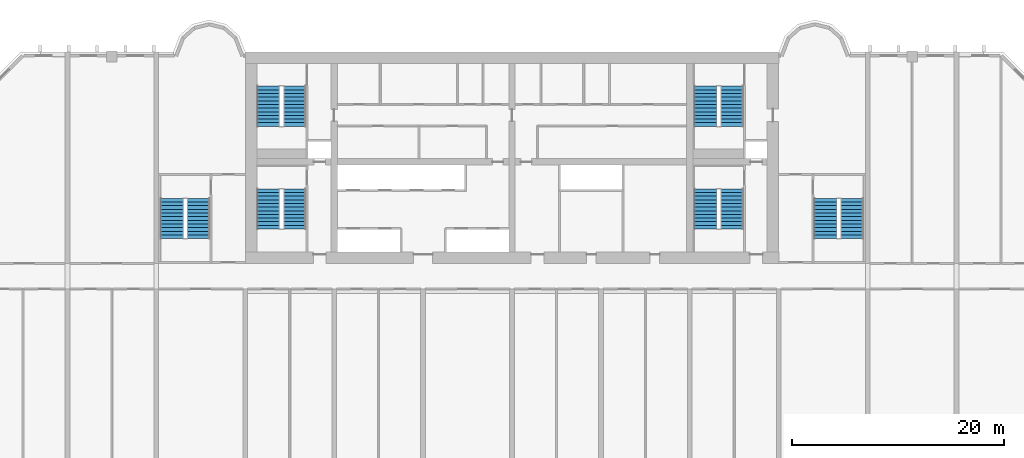
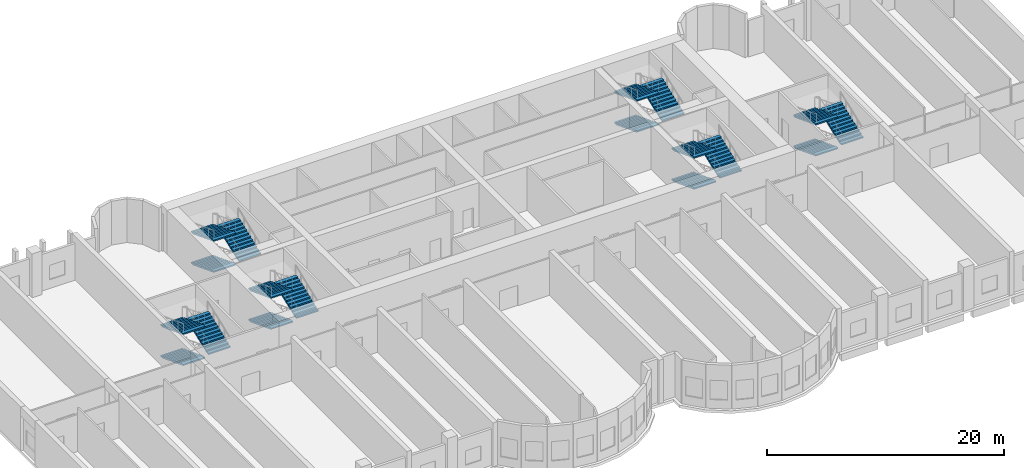
# One storey, part 9 of 10: 18 stair flights, 6 elements without a shape of their own.
"""IFC4 building model written with IfcOpenShell, lengths in metres."""

from ifc_helpers import new_model, si_unit, direction, frame, origin, place, context, subcontext, project, spatial, polyline, outline, extrude, source, transform, mapped, material, type_object, element, aggregate, save


model = new_model("IFC4")

# Units and contexts
model_context = context("Model", 3, precision=1e-05, world=origin(), true_north=direction((0.0, 1.0)))
body_context = subcontext(model_context, "Body", "Model", "MODEL_VIEW")
ifc_project = project(units=[si_unit("LENGTHUNIT", "METRE"), si_unit("AREAUNIT", "SQUARE_METRE"), si_unit("VOLUMEUNIT", "CUBIC_METRE"), si_unit("PLANEANGLEUNIT", "RADIAN"), si_unit("MASSUNIT", "GRAM", prefix="KILO")], contexts=[model_context])

# Site, building, storey
site_placement = place(None, origin())
site = spatial("IfcSite", under=ifc_project, at=site_placement, CompositionType="ELEMENT")
building_placement = place(site_placement, origin())
building = spatial("IfcBuilding", under=site, at=building_placement, Name="Vanashikhar Sky Hotel", CompositionType="ELEMENT")
storey_placement = place(building_placement, frame((0.0, 0.0, 23.0)))
storey = spatial("IfcBuildingStorey", under=building, at=storey_placement, Name="L04", CompositionType="ELEMENT", Elevation=23.0)

# Stair, stair flights
ifc_material = material(Name="Concrete M40", Category="concrete")
stair_type = type_object("IfcStairType", Name="Exit stair 2150", PredefinedType="DOUBLE_RETURN_STAIR", material=ifc_material)
stair_1_placement = place(storey_placement, origin())
stair_1 = element("IfcStair", 1, at=stair_1_placement, inside=storey, type_object=stair_type, Name="L04 Exit stair 1", PredefinedType="DOUBLE_RETURN_STAIR")
stair_flight_type = type_object("IfcStairFlightType", Name="Stair flight 2150", PredefinedType="STRAIGHT", material=ifc_material)
shared_shape = source(origin(), body_context, "Body", "SweptSolid", [
    extrude(outline(polyline([(0.0, 0.0), (0.0, 0.13330078125), (0.345458984375, 0.13330078125), (0.345458984375, 0.2666015625), (0.69091796875, 0.2666015625), (0.69091796875, 0.39990234375), (1.036376953125, 0.39990234375), (1.036376953125, 0.533447265625), (1.3818359375, 0.533447265625), (1.3818359375, 0.666748046875), (1.727294921875, 0.666748046875), (1.727294921875, 0.800048828125), (2.07275390625, 0.800048828125), (2.07275390625, 0.933349609375), (2.418212890625, 0.933349609375), (2.418212890625, 1.066650390625), (2.763671875, 1.066650390625), (2.763671875, 1.199951171875), (3.109130859375, 1.199951171875), (3.109130859375, 1.333251953125), (3.45458984375, 1.333251953125), (3.45458984375, 1.466552734375), (3.800048828125, 1.466552734375), (3.800048828125, 1.60009765625), (3.800048828125, 1.337890625), (0.33349609375, 0.0), (0.0, 0.0)])), frame((0.0, 1.074951171875, 0.0), z_axis=(0.0, -1.0, 0.0), x_axis=(1.0, 0.0, 0.0)), (0.0, 0.0, 1.0), 2.14990234375),
])
stair_flight_1_placement = place(storey_placement, frame((27.375, 29.050048828125, 0.0), z_axis=(0.0, 0.0, 1.0), x_axis=(0.0, -1.0, 0.0)))
stair_flight_1 = element("IfcStairFlight", 2, at=stair_flight_1_placement, type_object=stair_flight_type, Name="ST-C1 flight 1", NumberOfRisers=12, NumberOfTreads=11, PredefinedType="STRAIGHT", RiserHeight=0.133333333, TreadLength=0.345454545, context=body_context, shape_type="MappedRepresentation", body=[
    mapped(shared_shape, transform((0.0, 0.0, 0.0), scale=1.0)),
])
stair_flight_2_placement = place(storey_placement, frame((29.875, 25.25, 1.60009765625), z_axis=(0.0, 0.0, 1.0), x_axis=(0.0, 1.0, 0.0)))
stair_flight_2 = element("IfcStairFlight", 3, at=stair_flight_2_placement, type_object=stair_flight_type, Name="ST-C1 flight 2", NumberOfRisers=12, NumberOfTreads=11, PredefinedType="STRAIGHT", RiserHeight=0.133333333, TreadLength=0.345454545, context=body_context, shape_type="MappedRepresentation", body=[
    mapped(shared_shape, transform((0.0, 0.0, 0.0), scale=1.0)),
])
stair_flight_3_placement = place(storey_placement, frame((27.375, 29.050048828125, 3.199951171875), z_axis=(0.0, 0.0, 1.0), x_axis=(0.0, -1.0, 0.0)))
stair_flight_3 = element("IfcStairFlight", 4, at=stair_flight_3_placement, type_object=stair_flight_type, Name="ST-C1 flight 3", NumberOfRisers=12, NumberOfTreads=11, PredefinedType="STRAIGHT", RiserHeight=0.133333333, TreadLength=0.345454545, context=body_context, shape_type="MappedRepresentation", body=[
    mapped(shared_shape, transform((0.0, 0.0, 0.0), scale=1.0)),
])
aggregate(stair_1, [stair_flight_1, stair_flight_2, stair_flight_3])

stair_2_placement = place(storey_placement, origin())
stair_2 = element("IfcStair", 5, at=stair_2_placement, inside=storey, type_object=stair_type, Name="L04 Exit stair 2", PredefinedType="DOUBLE_RETURN_STAIR")
stair_flight_4_placement = place(storey_placement, frame((68.675048828125, 29.050048828125, 0.0), z_axis=(0.0, 0.0, 1.0), x_axis=(0.0, -1.0, 0.0)))
stair_flight_4 = element("IfcStairFlight", 6, at=stair_flight_4_placement, type_object=stair_flight_type, Name="ST-C2 flight 1", NumberOfRisers=12, NumberOfTreads=11, PredefinedType="STRAIGHT", RiserHeight=0.133333333, TreadLength=0.345454545, context=body_context, shape_type="MappedRepresentation", body=[
    mapped(shared_shape, transform((0.0, 0.0, 0.0), scale=1.0)),
])
stair_flight_5_placement = place(storey_placement, frame((71.175048828125, 25.25, 1.60009765625), z_axis=(0.0, 0.0, 1.0), x_axis=(0.0, 1.0, 0.0)))
stair_flight_5 = element("IfcStairFlight", 7, at=stair_flight_5_placement, type_object=stair_flight_type, Name="ST-C2 flight 2", NumberOfRisers=12, NumberOfTreads=11, PredefinedType="STRAIGHT", RiserHeight=0.133333333, TreadLength=0.345454545, context=body_context, shape_type="MappedRepresentation", body=[
    mapped(shared_shape, transform((0.0, 0.0, 0.0), scale=1.0)),
])
stair_flight_6_placement = place(storey_placement, frame((68.675048828125, 29.050048828125, 3.199951171875), z_axis=(0.0, 0.0, 1.0), x_axis=(0.0, -1.0, 0.0)))
stair_flight_6 = element("IfcStairFlight", 8, at=stair_flight_6_placement, type_object=stair_flight_type, Name="ST-C2 flight 3", NumberOfRisers=12, NumberOfTreads=11, PredefinedType="STRAIGHT", RiserHeight=0.133333333, TreadLength=0.345454545, context=body_context, shape_type="MappedRepresentation", body=[
    mapped(shared_shape, transform((0.0, 0.0, 0.0), scale=1.0)),
])
aggregate(stair_2, [stair_flight_4, stair_flight_5, stair_flight_6])

stair_3_placement = place(storey_placement, origin())
stair_3 = element("IfcStair", 9, at=stair_3_placement, inside=storey, type_object=stair_type, Name="L04 Exit stair 3", PredefinedType="DOUBLE_RETURN_STAIR")
stair_flight_7_placement = place(storey_placement, frame((18.27490234375, 28.14990234375, 0.0), z_axis=(0.0, 0.0, 1.0), x_axis=(0.0, -1.0, 0.0)))
stair_flight_7 = element("IfcStairFlight", 10, at=stair_flight_7_placement, type_object=stair_flight_type, Name="ST-W flight 1", NumberOfRisers=12, NumberOfTreads=11, PredefinedType="STRAIGHT", RiserHeight=0.133333333, TreadLength=0.345454545, context=body_context, shape_type="MappedRepresentation", body=[
    mapped(shared_shape, transform((0.0, 0.0, 0.0), scale=1.0)),
])
stair_flight_8_placement = place(storey_placement, frame((20.77490234375, 24.35009765625, 1.60009765625), z_axis=(0.0, 0.0, 1.0), x_axis=(0.0, 1.0, 0.0)))
stair_flight_8 = element("IfcStairFlight", 11, at=stair_flight_8_placement, type_object=stair_flight_type, Name="ST-W flight 2", NumberOfRisers=12, NumberOfTreads=11, PredefinedType="STRAIGHT", RiserHeight=0.133333333, TreadLength=0.345454545, context=body_context, shape_type="MappedRepresentation", body=[
    mapped(shared_shape, transform((0.0, 0.0, 0.0), scale=1.0)),
])
stair_flight_9_placement = place(storey_placement, frame((18.27490234375, 28.14990234375, 3.199951171875), z_axis=(0.0, 0.0, 1.0), x_axis=(0.0, -1.0, 0.0)))
stair_flight_9 = element("IfcStairFlight", 12, at=stair_flight_9_placement, type_object=stair_flight_type, Name="ST-W flight 3", NumberOfRisers=12, NumberOfTreads=11, PredefinedType="STRAIGHT", RiserHeight=0.133333333, TreadLength=0.345454545, context=body_context, shape_type="MappedRepresentation", body=[
    mapped(shared_shape, transform((0.0, 0.0, 0.0), scale=1.0)),
])
aggregate(stair_3, [stair_flight_7, stair_flight_8, stair_flight_9])

stair_4_placement = place(storey_placement, origin())
stair_4 = element("IfcStair", 13, at=stair_4_placement, inside=storey, type_object=stair_type, Name="L04 Exit stair 4", PredefinedType="DOUBLE_RETURN_STAIR")
stair_flight_10_placement = place(storey_placement, frame((80.02490234375, 28.14990234375, 0.0), z_axis=(0.0, 0.0, 1.0), x_axis=(0.0, -1.0, 0.0)))
stair_flight_10 = element("IfcStairFlight", 14, at=stair_flight_10_placement, type_object=stair_flight_type, Name="ST-E flight 1", NumberOfRisers=12, NumberOfTreads=11, PredefinedType="STRAIGHT", RiserHeight=0.133333333, TreadLength=0.345454545, context=body_context, shape_type="MappedRepresentation", body=[
    mapped(shared_shape, transform((0.0, 0.0, 0.0), scale=1.0)),
])
stair_flight_11_placement = place(storey_placement, frame((82.52490234375, 24.35009765625, 1.60009765625), z_axis=(0.0, 0.0, 1.0), x_axis=(0.0, 1.0, 0.0)))
stair_flight_11 = element("IfcStairFlight", 15, at=stair_flight_11_placement, type_object=stair_flight_type, Name="ST-E flight 2", NumberOfRisers=12, NumberOfTreads=11, PredefinedType="STRAIGHT", RiserHeight=0.133333333, TreadLength=0.345454545, context=body_context, shape_type="MappedRepresentation", body=[
    mapped(shared_shape, transform((0.0, 0.0, 0.0), scale=1.0)),
])
stair_flight_12_placement = place(storey_placement, frame((80.02490234375, 28.14990234375, 3.199951171875), z_axis=(0.0, 0.0, 1.0), x_axis=(0.0, -1.0, 0.0)))
stair_flight_12 = element("IfcStairFlight", 16, at=stair_flight_12_placement, type_object=stair_flight_type, Name="ST-E flight 3", NumberOfRisers=12, NumberOfTreads=11, PredefinedType="STRAIGHT", RiserHeight=0.133333333, TreadLength=0.345454545, context=body_context, shape_type="MappedRepresentation", body=[
    mapped(shared_shape, transform((0.0, 0.0, 0.0), scale=1.0)),
])
aggregate(stair_4, [stair_flight_10, stair_flight_11, stair_flight_12])

stair_5_placement = place(storey_placement, origin())
stair_5 = element("IfcStair", 17, at=stair_5_placement, inside=storey, type_object=stair_type, Name="L04 Exit stair 5", PredefinedType="DOUBLE_RETURN_STAIR")
stair_flight_13_placement = place(storey_placement, frame((27.375, 38.75, 0.0), z_axis=(0.0, 0.0, 1.0), x_axis=(0.0, -1.0, 0.0)))
stair_flight_13 = element("IfcStairFlight", 18, at=stair_flight_13_placement, type_object=stair_flight_type, Name="ST-C3 flight 1", NumberOfRisers=12, NumberOfTreads=11, PredefinedType="STRAIGHT", RiserHeight=0.133333333, TreadLength=0.345454545, context=body_context, shape_type="MappedRepresentation", body=[
    mapped(shared_shape, transform((0.0, 0.0, 0.0), scale=1.0)),
])
stair_flight_14_placement = place(storey_placement, frame((29.875, 34.949951171875, 1.60009765625), z_axis=(0.0, 0.0, 1.0), x_axis=(0.0, 1.0, 0.0)))
stair_flight_14 = element("IfcStairFlight", 19, at=stair_flight_14_placement, type_object=stair_flight_type, Name="ST-C3 flight 2", NumberOfRisers=12, NumberOfTreads=11, PredefinedType="STRAIGHT", RiserHeight=0.133333333, TreadLength=0.345454545, context=body_context, shape_type="MappedRepresentation", body=[
    mapped(shared_shape, transform((0.0, 0.0, 0.0), scale=1.0)),
])
stair_flight_15_placement = place(storey_placement, frame((27.375, 38.75, 3.199951171875), z_axis=(0.0, 0.0, 1.0), x_axis=(0.0, -1.0, 0.0)))
stair_flight_15 = element("IfcStairFlight", 20, at=stair_flight_15_placement, type_object=stair_flight_type, Name="ST-C3 flight 3", NumberOfRisers=12, NumberOfTreads=11, PredefinedType="STRAIGHT", RiserHeight=0.133333333, TreadLength=0.345454545, context=body_context, shape_type="MappedRepresentation", body=[
    mapped(shared_shape, transform((0.0, 0.0, 0.0), scale=1.0)),
])
aggregate(stair_5, [stair_flight_13, stair_flight_14, stair_flight_15])

stair_6_placement = place(storey_placement, origin())
stair_6 = element("IfcStair", 21, at=stair_6_placement, inside=storey, type_object=stair_type, Name="L04 Exit stair 6", PredefinedType="DOUBLE_RETURN_STAIR")
stair_flight_16_placement = place(storey_placement, frame((68.675048828125, 38.75, 0.0), z_axis=(0.0, 0.0, 1.0), x_axis=(0.0, -1.0, 0.0)))
stair_flight_16 = element("IfcStairFlight", 22, at=stair_flight_16_placement, type_object=stair_flight_type, Name="ST-C4 flight 1", NumberOfRisers=12, NumberOfTreads=11, PredefinedType="STRAIGHT", RiserHeight=0.133333333, TreadLength=0.345454545, context=body_context, shape_type="MappedRepresentation", body=[
    mapped(shared_shape, transform((0.0, 0.0, 0.0), scale=1.0)),
])
stair_flight_17_placement = place(storey_placement, frame((71.175048828125, 34.949951171875, 1.60009765625), z_axis=(0.0, 0.0, 1.0), x_axis=(0.0, 1.0, 0.0)))
stair_flight_17 = element("IfcStairFlight", 23, at=stair_flight_17_placement, type_object=stair_flight_type, Name="ST-C4 flight 2", NumberOfRisers=12, NumberOfTreads=11, PredefinedType="STRAIGHT", RiserHeight=0.133333333, TreadLength=0.345454545, context=body_context, shape_type="MappedRepresentation", body=[
    mapped(shared_shape, transform((0.0, 0.0, 0.0), scale=1.0)),
])
stair_flight_18_placement = place(storey_placement, frame((68.675048828125, 38.75, 3.199951171875), z_axis=(0.0, 0.0, 1.0), x_axis=(0.0, -1.0, 0.0)))
stair_flight_18 = element("IfcStairFlight", 24, at=stair_flight_18_placement, type_object=stair_flight_type, Name="ST-C4 flight 3", NumberOfRisers=12, NumberOfTreads=11, PredefinedType="STRAIGHT", RiserHeight=0.133333333, TreadLength=0.345454545, context=body_context, shape_type="MappedRepresentation", body=[
    mapped(shared_shape, transform((0.0, 0.0, 0.0), scale=1.0)),
])
aggregate(stair_6, [stair_flight_16, stair_flight_17, stair_flight_18])

save(model, "model.ifc")
